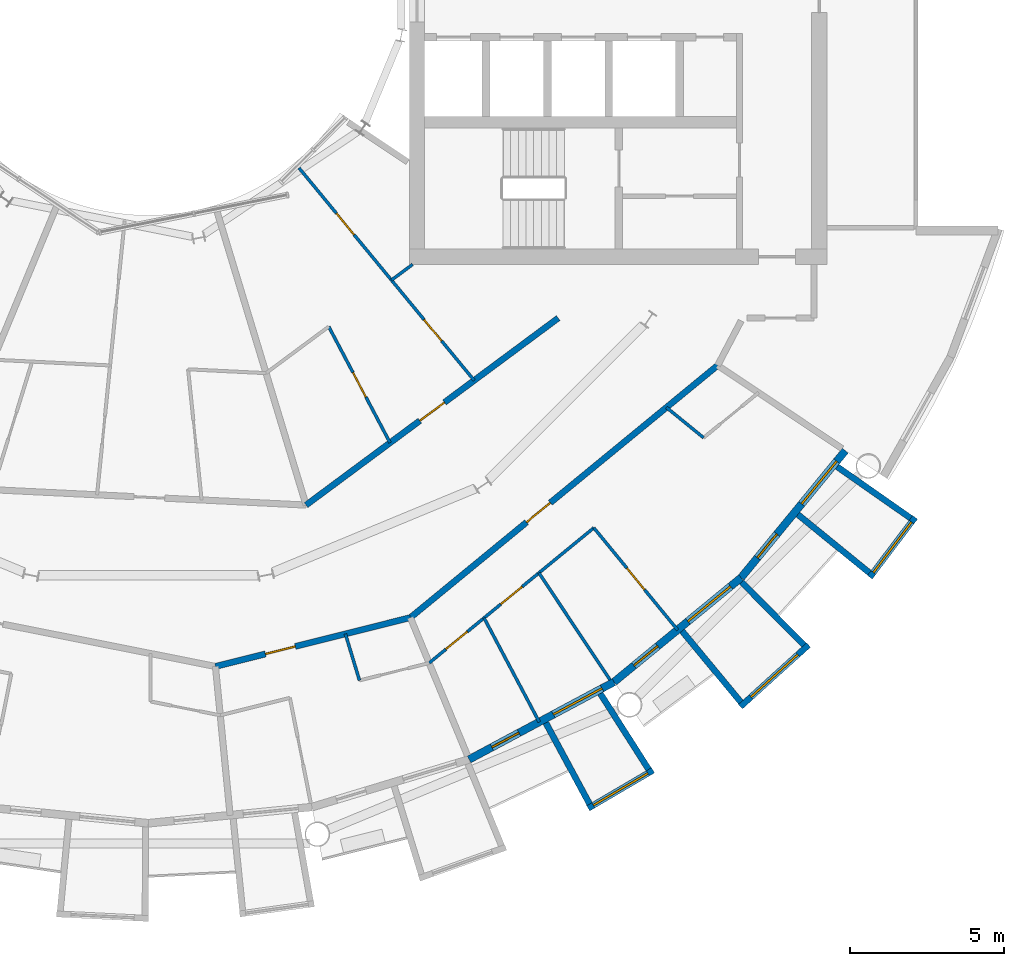
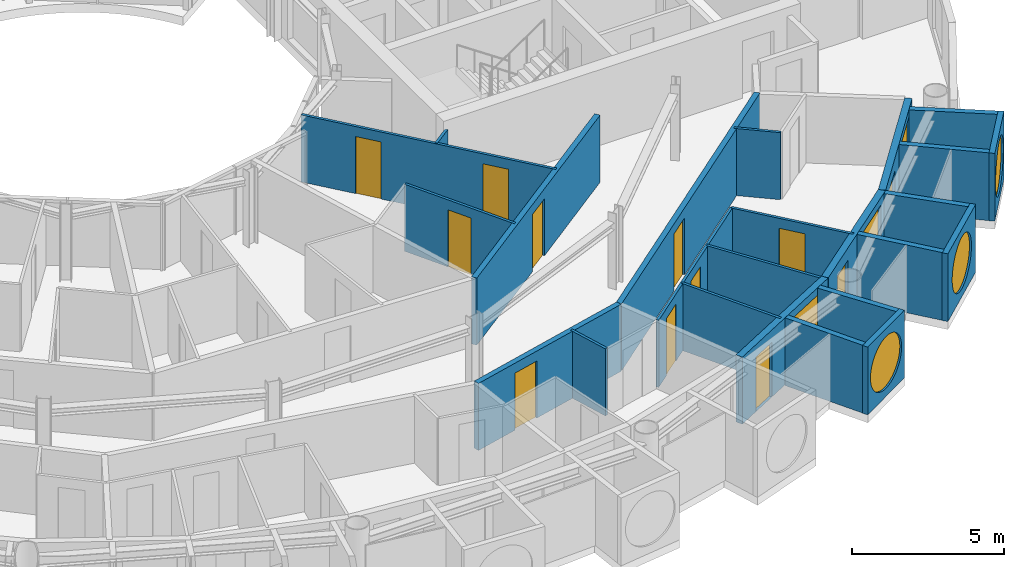
# One storey, part 17 of 26: 24 walls, 12 doors, 6 windows, 18 openings.
"""IFC4 building model written with IfcOpenShell, lengths in metres."""

from ifc_helpers import new_model, si_unit, direction, frame, frame_2d, origin, place, context, subcontext, project, spatial, rectangle, circle, extrude, material, layer, layer_set, type_object, element, fill, save


model = new_model("IFC4")

# Units and contexts
model_context = context("Model", 3, precision=1e-05, world=origin(), true_north=direction((0.0, 1.0)))
body_context = subcontext(model_context, "Body", "Model", "MODEL_VIEW")
ifc_project = project(units=[si_unit("LENGTHUNIT", "METRE"), si_unit("AREAUNIT", "SQUARE_METRE"), si_unit("VOLUMEUNIT", "CUBIC_METRE"), si_unit("PLANEANGLEUNIT", "RADIAN"), si_unit("MASSUNIT", "GRAM", prefix="KILO")], contexts=[model_context])

# Site, building, storey
site_placement = place(None, origin())
site = spatial("IfcSite", under=ifc_project, at=site_placement, CompositionType="ELEMENT")
building_placement = place(site_placement, origin())
building = spatial("IfcBuilding", under=site, at=building_placement, Name="Maasbend Ring Residences", CompositionType="ELEMENT")
storey_placement = place(building_placement, frame((0.0, 0.0, 154.35009765625)))
storey = spatial("IfcBuildingStorey", under=building, at=storey_placement, Name="L44", CompositionType="ELEMENT", Elevation=154.35009765625)

# Wall, opening, door
ifc_material_1 = material(Name="Concrete C30/37", Category="concrete")
ifc_layer_1 = layer(ifc_material_1, 0.199951171875)
ifc_layer_set_1 = layer_set([ifc_layer_1], Name="Concrete C30/37")
wall_type_1 = type_object("IfcWallType", Name="CORRIDOR WALL 200 CONCRETE", PredefinedType="PARTITIONING", material=ifc_layer_set_1)
wall_1_placement = place(storey_placement, frame((2.18603515625, -22.193115234375, 0.0), z_axis=(0.0, 0.0, 1.0), x_axis=(0.97003047456, 0.242983288366, 0.0)))
wall_1 = element("IfcWall", 1, at=wall_1_placement, inside=storey, type_object=wall_type_1, Name="U-L44-w011", PredefinedType="PARTITIONING", context=body_context, shape_type="SweptSolid", body=[
    extrude(rectangle(XDim=6.5439453125, YDim=0.199951171875, at=frame_2d((3.27197265625, 0.0))), origin(), (0.0, 0.0, 1.0), 2.699951171875),
])
opening_1_placement = place(wall_1_placement, frame((1.680908203125, 0.0, 0.0)))
opening_1 = element("IfcOpeningElement", 2, at=opening_1_placement, cuts=wall_1, Name="Opening D-4443", PredefinedType="OPENING", context=body_context, shape_type="SweptSolid", body=[
    extrude(rectangle(XDim=1.0, YDim=2.300048828125, at=frame_2d((0.5, 1.14990234375))), frame((0.0, 0.10986328125, 0.0), z_axis=(0.0, -1.0, 0.0), x_axis=(1.0, 0.0, 0.0)), (0.0, 0.0, 1.0), 0.219970703125),
])
ifc_material_2 = material(Name="Timber, fire-rated, painted", Category="wood")
door_type_1 = type_object("IfcDoorType", Name="FLAT ENTRANCE DOOR 1000 X 2300 FIRE-RATED", OperationType="NOTDEFINED", PredefinedType="DOOR", material=ifc_material_2)
door_1_placement = place(opening_1_placement, origin())
door_1 = element("IfcDoor", 3, at=door_1_placement, inside=storey, type_object=door_type_1, Name="D-4443", OperationType="SINGLE_SWING_LEFT", OverallHeight=2.300048828125, OverallWidth=1.0, PredefinedType="DOOR", context=body_context, shape_type="SweptSolid", body=[
    extrude(rectangle(XDim=1.0, YDim=2.300048828125, at=frame_2d((0.5, 1.14990234375))), frame((0.0, 0.02490234375, 0.0), z_axis=(0.0, -1.0, 0.0), x_axis=(1.0, 0.0, 0.0)), (0.0, 0.0, 1.0), 0.050048828125),
])
fill(opening_1, door_1)

wall_2_placement = place(storey_placement, frame((8.533935546875, -20.60302734375, 0.0), z_axis=(0.0, 0.0, 1.0), x_axis=(0.772983503654, 0.634426121056, 0.0)))
wall_2 = element("IfcWall", 4, at=wall_2_placement, inside=storey, type_object=wall_type_1, Name="U-L44-w016", PredefinedType="PARTITIONING", context=body_context, shape_type="SweptSolid", body=[
    extrude(rectangle(XDim=12.947265625, YDim=0.199951171875, at=frame_2d((6.4736328125, 0.0))), origin(), (0.0, 0.0, 1.0), 2.699951171875),
])
opening_2_placement = place(wall_2_placement, frame((4.89501953125, 0.0, 0.0)))
opening_2 = element("IfcOpeningElement", 5, at=opening_2_placement, cuts=wall_2, Name="Opening D-4446", PredefinedType="OPENING", context=body_context, shape_type="SweptSolid", body=[
    extrude(rectangle(XDim=1.0, YDim=2.300048828125, at=frame_2d((0.5, 1.14990234375))), frame((0.0, 0.10986328125, 0.0), z_axis=(0.0, -1.0, 0.0), x_axis=(1.0, 0.0, 0.0)), (0.0, 0.0, 1.0), 0.219970703125),
])
door_2_placement = place(opening_2_placement, origin())
door_2 = element("IfcDoor", 6, at=door_2_placement, inside=storey, type_object=door_type_1, Name="D-4446", OperationType="SINGLE_SWING_LEFT", OverallHeight=2.300048828125, OverallWidth=1.0, PredefinedType="DOOR", context=body_context, shape_type="SweptSolid", body=[
    extrude(rectangle(XDim=1.0, YDim=2.300048828125, at=frame_2d((0.5, 1.14990234375))), frame((0.0, 0.02490234375, 0.0), z_axis=(0.0, -1.0, 0.0), x_axis=(1.0, 0.0, 0.0)), (0.0, 0.0, 1.0), 0.050048828125),
])
fill(opening_2, door_2)

wall_3_placement = place(storey_placement, frame((5.136962890625, -16.93798828125, 0.0), z_axis=(0.0, 0.0, 1.0), x_axis=(0.803229232922, 0.595670042371, 0.0)))
wall_3 = element("IfcWall", 7, at=wall_3_placement, inside=storey, type_object=wall_type_1, Name="U-L44-w019", PredefinedType="PARTITIONING", context=body_context, shape_type="SweptSolid", body=[
    extrude(rectangle(XDim=10.223876953125, YDim=0.199951171875, at=frame_2d((5.11181640625, 0.0))), origin(), (0.0, 0.0, 1.0), 2.699951171875),
])
opening_3_placement = place(wall_3_placement, frame((4.612060546875, 0.0, 0.0)))
opening_3 = element("IfcOpeningElement", 8, at=opening_3_placement, cuts=wall_3, Name="Opening D-4460", PredefinedType="OPENING", context=body_context, shape_type="SweptSolid", body=[
    extrude(rectangle(XDim=1.0, YDim=2.300048828125, at=frame_2d((0.5, 1.14990234375))), frame((0.0, 0.10986328125, 0.0), z_axis=(0.0, -1.0, 0.0), x_axis=(1.0, 0.0, 0.0)), (0.0, 0.0, 1.0), 0.219970703125),
])
door_3_placement = place(opening_3_placement, origin())
door_3 = element("IfcDoor", 9, at=door_3_placement, inside=storey, type_object=door_type_1, Name="D-4460", OperationType="SINGLE_SWING_RIGHT", OverallHeight=2.300048828125, OverallWidth=1.0, PredefinedType="DOOR", context=body_context, shape_type="SweptSolid", body=[
    extrude(rectangle(XDim=1.0, YDim=2.300048828125, at=frame_2d((0.5, 1.14990234375))), frame((0.0, 0.02490234375, 0.0), z_axis=(0.0, -1.0, 0.0), x_axis=(1.0, 0.0, 0.0)), (0.0, 0.0, 1.0), 0.050048828125),
])
fill(opening_3, door_3)

# Wall, opening, window
ifc_material_3 = material(Name="Pale anodised aluminium panel", Category="aluminium")
ifc_layer_2 = layer(ifc_material_3, 0.199951171875)
ifc_layer_set_2 = layer_set([ifc_layer_2], Name="EW-BOX")
wall_type_2 = type_object("IfcWallType", Name="EW-BOX", PredefinedType="SOLIDWALL", material=ifc_layer_set_2)
wall_4_placement = place(storey_placement, frame((14.326904296875, -26.81201171875, -0.030029296875), z_axis=(0.0, 0.0, 1.0), x_axis=(0.862403467503, 0.506221551535, 0.0)))
wall_4 = element("IfcWall", 10, at=wall_4_placement, inside=storey, type_object=wall_type_2, Name="Box front S16", PredefinedType="SOLIDWALL", context=body_context, shape_type="SweptSolid", body=[
    extrude(rectangle(XDim=2.445556640625, YDim=0.199951171875, at=frame_2d((1.22265625, 0.0))), origin(), (0.0, 0.0, 1.0), 2.72998046875),
])
opening_4_placement = place(wall_4_placement, frame((0.182861328125, 0.0, 0.330078125)))
opening_4 = element("IfcOpeningElement", 11, at=opening_4_placement, cuts=wall_4, Name="Opening W-RD", PredefinedType="OPENING", context=body_context, shape_type="SweptSolid", body=[
    extrude(circle(Radius=1.0400390625, at=frame_2d((1.0400390625, 1.0400390625))), frame((0.0, 0.10986328125, 0.0), z_axis=(0.0, -1.0, 0.0), x_axis=(1.0, 0.0, 0.0)), (0.0, 0.0, 1.0), 0.219970703125),
])
ifc_material_4 = material(Name="Aluminium and clear glass", Category="aluminium")
window_type_1 = type_object("IfcWindowType", Name="W-RD", PartitioningType="SINGLE_PANEL", PredefinedType="WINDOW", material=ifc_material_4)
window_1_placement = place(opening_4_placement, origin())
window_1 = element("IfcWindow", 12, at=window_1_placement, inside=storey, type_object=window_type_1, Name="Round window S16", OverallHeight=2.080078125, OverallWidth=2.080078125, PartitioningType="SINGLE_PANEL", PredefinedType="WINDOW", context=body_context, shape_type="SweptSolid", body=[
    extrude(circle(Radius=1.0400390625, at=frame_2d((1.0400390625, 1.0400390625))), frame((0.0, 0.030029296875, 0.0), z_axis=(0.0, -1.0, 0.0), x_axis=(1.0, 0.0, 0.0)), (0.0, 0.0, 1.0), 0.06005859375),
])
fill(opening_4, window_1)

# Walls
wall_5_placement = place(storey_placement, frame((12.945068359375, -24.029052734375, -0.030029296875), z_axis=(0.0, 0.0, 1.0), x_axis=(0.474424310775, -0.88029629861, 0.0)))
element("IfcWall", 13, at=wall_5_placement, inside=storey, type_object=wall_type_2, Name="Box side wall S16 left", PredefinedType="SOLIDWALL", context=body_context, shape_type="SweptSolid", body=[
    extrude(rectangle(XDim=3.005859375, YDim=0.199951171875, at=frame_2d((1.5029296875, 0.0))), origin(), (0.0, 0.0, 1.0), 2.72998046875),
])
wall_6_placement = place(storey_placement, frame((14.721923828125, -23.0791015625, -0.030029296875), z_axis=(0.0, 0.0, 1.0), x_axis=(0.537572179146, -0.843217737129, 0.0)))
element("IfcWall", 14, at=wall_6_placement, inside=storey, type_object=wall_type_2, Name="Box side wall S16 right", PredefinedType="SOLIDWALL", context=body_context, shape_type="SweptSolid", body=[
    extrude(rectangle(XDim=2.92431640625, YDim=0.199951171875, at=frame_2d((1.462158203125, 0.0))), origin(), (0.0, 0.0, 1.0), 2.72998046875),
])

# Wall, opening, window
wall_7_placement = place(storey_placement, frame((19.281982421875, -23.5029296875, -0.030029296875), z_axis=(0.0, 0.0, 1.0), x_axis=(0.740998365753, 0.671506829416, 0.0)))
wall_7 = element("IfcWall", 15, at=wall_7_placement, inside=storey, type_object=wall_type_2, Name="Box front S18", PredefinedType="SOLIDWALL", context=body_context, shape_type="SweptSolid", body=[
    extrude(rectangle(XDim=2.9931640625, YDim=0.199951171875, at=frame_2d((1.49658203125, 0.0))), origin(), (0.0, 0.0, 1.0), 2.72998046875),
])
opening_5_placement = place(wall_7_placement, frame((0.45654296875, 0.0, 0.330078125)))
opening_5 = element("IfcOpeningElement", 16, at=opening_5_placement, cuts=wall_7, Name="Opening W-RD", PredefinedType="OPENING", context=body_context, shape_type="SweptSolid", body=[
    extrude(circle(Radius=1.0400390625, at=frame_2d((1.0400390625, 1.0400390625))), frame((0.0, 0.10986328125, 0.0), z_axis=(0.0, -1.0, 0.0), x_axis=(1.0, 0.0, 0.0)), (0.0, 0.0, 1.0), 0.219970703125),
])
window_2_placement = place(opening_5_placement, origin())
window_2 = element("IfcWindow", 17, at=window_2_placement, inside=storey, type_object=window_type_1, Name="Round window S18", OverallHeight=2.080078125, OverallWidth=2.080078125, PartitioningType="SINGLE_PANEL", PredefinedType="WINDOW", context=body_context, shape_type="SweptSolid", body=[
    extrude(circle(Radius=1.0400390625, at=frame_2d((1.0400390625, 1.0400390625))), frame((0.0, 0.030029296875, 0.0), z_axis=(0.0, -1.0, 0.0), x_axis=(1.0, 0.0, 0.0)), (0.0, 0.0, 1.0), 0.06005859375),
])
fill(opening_5, window_2)

# Walls
wall_8_placement = place(storey_placement, frame((17.384033203125, -21.041015625, -0.030029296875), z_axis=(0.0, 0.0, 1.0), x_axis=(0.63709551667, -0.770784861449, 0.0)))
element("IfcWall", 18, at=wall_8_placement, inside=storey, type_object=wall_type_2, Name="Box side wall S18 left", PredefinedType="SOLIDWALL", context=body_context, shape_type="SweptSolid", body=[
    extrude(rectangle(XDim=3.005859375, YDim=0.199951171875, at=frame_2d((1.5029296875, 0.0))), origin(), (0.0, 0.0, 1.0), 2.72998046875),
])
wall_9_placement = place(storey_placement, frame((19.322998046875, -19.449951171875, -0.030029296875), z_axis=(0.0, 0.0, 1.0), x_axis=(0.704476739375, -0.709727076896, 0.0)))
element("IfcWall", 19, at=wall_9_placement, inside=storey, type_object=wall_type_2, Name="Box side wall S18 right", PredefinedType="SOLIDWALL", context=body_context, shape_type="SweptSolid", body=[
    extrude(rectangle(XDim=2.883056640625, YDim=0.199951171875, at=frame_2d((1.44140625, 0.0))), origin(), (0.0, 0.0, 1.0), 2.72998046875),
])

# Wall, opening, window
wall_10_placement = place(storey_placement, frame((23.4970703125, -19.2890625, -0.030029296875), z_axis=(0.0, 0.0, 1.0), x_axis=(0.602806268067, 0.797887588059, 0.0)))
wall_10 = element("IfcWall", 20, at=wall_10_placement, inside=storey, type_object=wall_type_2, Name="Box front S20", PredefinedType="SOLIDWALL", context=body_context, shape_type="SweptSolid", body=[
    extrude(rectangle(XDim=2.446533203125, YDim=0.199951171875, at=frame_2d((1.22314453125, 0.0))), origin(), (0.0, 0.0, 1.0), 2.72998046875),
])
opening_6_placement = place(wall_10_placement, frame((0.182861328125, 0.0, 0.330078125)))
opening_6 = element("IfcOpeningElement", 21, at=opening_6_placement, cuts=wall_10, Name="Opening W-RD", PredefinedType="OPENING", context=body_context, shape_type="SweptSolid", body=[
    extrude(circle(Radius=1.0400390625, at=frame_2d((1.0400390625, 1.0400390625))), frame((0.0, 0.10986328125, 0.0), z_axis=(0.0, -1.0, 0.0), x_axis=(1.0, 0.0, 0.0)), (0.0, 0.0, 1.0), 0.219970703125),
])
window_3_placement = place(opening_6_placement, origin())
window_3 = element("IfcWindow", 22, at=window_3_placement, inside=storey, type_object=window_type_1, Name="Round window S20", OverallHeight=2.080078125, OverallWidth=2.080078125, PartitioningType="SINGLE_PANEL", PredefinedType="WINDOW", context=body_context, shape_type="SweptSolid", body=[
    extrude(circle(Radius=1.0400390625, at=frame_2d((1.0400390625, 1.0400390625))), frame((0.0, 0.030029296875, 0.0), z_axis=(0.0, -1.0, 0.0), x_axis=(1.0, 0.0, 0.0)), (0.0, 0.0, 1.0), 0.06005859375),
])
fill(opening_6, window_3)

# Walls
wall_11_placement = place(storey_placement, frame((21.155029296875, -17.24609375, -0.030029296875), z_axis=(0.0, 0.0, 1.0), x_axis=(0.775179004516, -0.631741648902, 0.0)))
element("IfcWall", 23, at=wall_11_placement, inside=storey, type_object=wall_type_2, Name="Box side wall S20 left", PredefinedType="SOLIDWALL", context=body_context, shape_type="SweptSolid", body=[
    extrude(rectangle(XDim=3.005859375, YDim=0.199951171875, at=frame_2d((1.5029296875, 0.0))), origin(), (0.0, 0.0, 1.0), 2.72998046875),
])
wall_12_placement = place(storey_placement, frame((22.43310546875, -15.68798828125, -0.030029296875), z_axis=(0.0, 0.0, 1.0), x_axis=(0.819373043115, -0.573260687834, 0.0)))
element("IfcWall", 24, at=wall_12_placement, inside=storey, type_object=wall_type_2, Name="Box side wall S20 right", PredefinedType="SOLIDWALL", context=body_context, shape_type="SweptSolid", body=[
    extrude(rectangle(XDim=2.92529296875, YDim=0.199951171875, at=frame_2d((1.462646484375, 0.0))), origin(), (0.0, 0.0, 1.0), 2.72998046875),
])

# Wall, openings, door, window
ifc_material_5 = material(Name="Aluminium clad insulated panel", Category="aluminium")
ifc_layer_3 = layer(ifc_material_5, 0.25)
ifc_layer_set_3 = layer_set([ifc_layer_3], Name="EW-GL")
wall_type_3 = type_object("IfcWallType", Name="EW-GL", PredefinedType="SOLIDWALL", material=ifc_layer_set_3)
wall_13_placement = place(storey_placement, frame((10.447021484375, -25.221923828125, 0.0), z_axis=(0.0, 0.0, 1.0), x_axis=(0.881915646801, 0.471407246368, 0.0)))
wall_13 = element("IfcWall", 25, at=wall_13_placement, inside=storey, type_object=wall_type_3, Name="External wall S08", PredefinedType="SOLIDWALL", context=body_context, shape_type="SweptSolid", body=[
    extrude(rectangle(XDim=5.35205078125, YDim=0.25, at=frame_2d((2.676025390625, 0.0))), origin(), (0.0, 0.0, 1.0), 2.699951171875),
])
opening_7_placement = place(wall_13_placement, frame((0.841064453125, 0.0, 0.0)))
opening_7 = element("IfcOpeningElement", 26, at=opening_7_placement, cuts=wall_13, Name="Opening D-LG", PredefinedType="OPENING", context=body_context, shape_type="SweptSolid", body=[
    extrude(rectangle(XDim=1.0, YDim=2.199951171875, at=frame_2d((0.5, 1.10009765625))), frame((0.0, 0.135009765625, 0.0), z_axis=(0.0, -1.0, 0.0), x_axis=(1.0, 0.0, 0.0)), (0.0, 0.0, 1.0), 0.27001953125),
])
opening_8_placement = place(wall_13_placement, frame((3.110595703125, 0.0, 0.300048828125)))
opening_8 = element("IfcOpeningElement", 27, at=opening_8_placement, cuts=wall_13, Name="Opening W-BX", PredefinedType="OPENING", context=body_context, shape_type="SweptSolid", body=[
    extrude(rectangle(XDim=1.800048828125, YDim=2.10009765625, at=frame_2d((0.89990234375, 1.050048828125))), frame((0.0, 0.135009765625, 0.0), z_axis=(0.0, -1.0, 0.0), x_axis=(1.0, 0.0, 0.0)), (0.0, 0.0, 1.0), 0.27001953125),
])
ifc_material_6 = material(Name="Aluminium and clear glass", Category="aluminium")
door_type_2 = type_object("IfcDoorType", Name="D-LG", OperationType="SINGLE_SWING_LEFT", PredefinedType="DOOR", material=ifc_material_6)
door_4_placement = place(opening_7_placement, origin())
door_4 = element("IfcDoor", 28, at=door_4_placement, inside=storey, type_object=door_type_2, Name="Loggia door S15", OperationType="SINGLE_SWING_LEFT", OverallHeight=2.199951171875, OverallWidth=1.0, PredefinedType="DOOR", context=body_context, shape_type="SweptSolid", body=[
    extrude(rectangle(XDim=1.0, YDim=2.199951171875, at=frame_2d((0.5, 1.10009765625))), frame((0.0, 0.02490234375, 0.0), z_axis=(0.0, -1.0, 0.0), x_axis=(1.0, 0.0, 0.0)), (0.0, 0.0, 1.0), 0.050048828125),
])
fill(opening_7, door_4)
ifc_material_7 = material(Name="Aluminium and clear glass", Category="aluminium")
window_type_2 = type_object("IfcWindowType", Name="W-BX", PartitioningType="DOUBLE_PANEL_VERTICAL", PredefinedType="WINDOW", material=ifc_material_7)
window_4_placement = place(opening_8_placement, origin())
window_4 = element("IfcWindow", 29, at=window_4_placement, inside=storey, type_object=window_type_2, Name="Window S16 room to box", OverallHeight=2.10009765625, OverallWidth=1.800048828125, PartitioningType="SINGLE_PANEL", PredefinedType="WINDOW", context=body_context, shape_type="SweptSolid", body=[
    extrude(rectangle(XDim=1.800048828125, YDim=2.10009765625, at=frame_2d((0.89990234375, 1.050048828125))), frame((0.0, 0.030029296875, 0.0), z_axis=(0.0, -1.0, 0.0), x_axis=(1.0, 0.0, 0.0)), (0.0, 0.0, 1.0), 0.06005859375),
])
fill(opening_8, window_4)

wall_14_placement = place(storey_placement, frame((15.1669921875, -22.698974609375, 0.0), z_axis=(0.0, 0.0, 1.0), x_axis=(0.773019449054, 0.634382322723, 0.0)))
wall_14 = element("IfcWall", 30, at=wall_14_placement, inside=storey, type_object=wall_type_3, Name="External wall S09", PredefinedType="SOLIDWALL", context=body_context, shape_type="SweptSolid", body=[
    extrude(rectangle(XDim=5.351806640625, YDim=0.25, at=frame_2d((2.67578125, 0.0))), origin(), (0.0, 0.0, 1.0), 2.699951171875),
])
opening_9_placement = place(wall_14_placement, frame((0.841064453125, 0.0, 0.0)))
opening_9 = element("IfcOpeningElement", 31, at=opening_9_placement, cuts=wall_14, Name="Opening D-LG", PredefinedType="OPENING", context=body_context, shape_type="SweptSolid", body=[
    extrude(rectangle(XDim=1.0, YDim=2.199951171875, at=frame_2d((0.5, 1.10009765625))), frame((0.0, 0.135009765625, 0.0), z_axis=(0.0, -1.0, 0.0), x_axis=(1.0, 0.0, 0.0)), (0.0, 0.0, 1.0), 0.27001953125),
])
opening_10_placement = place(wall_14_placement, frame((3.110595703125, 0.0, 0.300048828125)))
opening_10 = element("IfcOpeningElement", 32, at=opening_10_placement, cuts=wall_14, Name="Opening W-BX", PredefinedType="OPENING", context=body_context, shape_type="SweptSolid", body=[
    extrude(rectangle(XDim=1.800048828125, YDim=2.10009765625, at=frame_2d((0.89990234375, 1.050048828125))), frame((0.0, 0.135009765625, 0.0), z_axis=(0.0, -1.0, 0.0), x_axis=(1.0, 0.0, 0.0)), (0.0, 0.0, 1.0), 0.27001953125),
])
door_5_placement = place(opening_9_placement, origin())
door_5 = element("IfcDoor", 33, at=door_5_placement, inside=storey, type_object=door_type_2, Name="Loggia door S17", OperationType="SINGLE_SWING_LEFT", OverallHeight=2.199951171875, OverallWidth=1.0, PredefinedType="DOOR", context=body_context, shape_type="SweptSolid", body=[
    extrude(rectangle(XDim=1.0, YDim=2.199951171875, at=frame_2d((0.5, 1.10009765625))), frame((0.0, 0.02490234375, 0.0), z_axis=(0.0, -1.0, 0.0), x_axis=(1.0, 0.0, 0.0)), (0.0, 0.0, 1.0), 0.050048828125),
])
fill(opening_9, door_5)
window_5_placement = place(opening_10_placement, origin())
window_5 = element("IfcWindow", 34, at=window_5_placement, inside=storey, type_object=window_type_2, Name="Window S18 room to box", OverallHeight=2.10009765625, OverallWidth=1.800048828125, PartitioningType="SINGLE_PANEL", PredefinedType="WINDOW", context=body_context, shape_type="SweptSolid", body=[
    extrude(rectangle(XDim=1.800048828125, YDim=2.10009765625, at=frame_2d((0.89990234375, 1.050048828125))), frame((0.0, 0.030029296875, 0.0), z_axis=(0.0, -1.0, 0.0), x_axis=(1.0, 0.0, 0.0)), (0.0, 0.0, 1.0), 0.06005859375),
])
fill(opening_10, window_5)

wall_15_placement = place(storey_placement, frame((19.303955078125, -19.303955078125, 0.0), z_axis=(0.0, 0.0, 1.0), x_axis=(0.634382322723, 0.773019449054, 0.0)))
wall_15 = element("IfcWall", 35, at=wall_15_placement, inside=storey, type_object=wall_type_3, Name="External wall S10", PredefinedType="SOLIDWALL", context=body_context, shape_type="SweptSolid", body=[
    extrude(rectangle(XDim=5.351806640625, YDim=0.25, at=frame_2d((2.67578125, 0.0))), origin(), (0.0, 0.0, 1.0), 2.699951171875),
])
opening_11_placement = place(wall_15_placement, frame((0.841064453125, 0.0, 0.0)))
opening_11 = element("IfcOpeningElement", 36, at=opening_11_placement, cuts=wall_15, Name="Opening D-LG", PredefinedType="OPENING", context=body_context, shape_type="SweptSolid", body=[
    extrude(rectangle(XDim=1.0, YDim=2.199951171875, at=frame_2d((0.5, 1.10009765625))), frame((0.0, 0.135009765625, 0.0), z_axis=(0.0, -1.0, 0.0), x_axis=(1.0, 0.0, 0.0)), (0.0, 0.0, 1.0), 0.27001953125),
])
opening_12_placement = place(wall_15_placement, frame((3.110595703125, 0.0, 0.300048828125)))
opening_12 = element("IfcOpeningElement", 37, at=opening_12_placement, cuts=wall_15, Name="Opening W-BX", PredefinedType="OPENING", context=body_context, shape_type="SweptSolid", body=[
    extrude(rectangle(XDim=1.800048828125, YDim=2.10009765625, at=frame_2d((0.89990234375, 1.050048828125))), frame((0.0, 0.135009765625, 0.0), z_axis=(0.0, -1.0, 0.0), x_axis=(1.0, 0.0, 0.0)), (0.0, 0.0, 1.0), 0.27001953125),
])
door_6_placement = place(opening_11_placement, origin())
door_6 = element("IfcDoor", 38, at=door_6_placement, inside=storey, type_object=door_type_2, Name="Loggia door S19", OperationType="SINGLE_SWING_LEFT", OverallHeight=2.199951171875, OverallWidth=1.0, PredefinedType="DOOR", context=body_context, shape_type="SweptSolid", body=[
    extrude(rectangle(XDim=1.0, YDim=2.199951171875, at=frame_2d((0.5, 1.10009765625))), frame((0.0, 0.02490234375, 0.0), z_axis=(0.0, -1.0, 0.0), x_axis=(1.0, 0.0, 0.0)), (0.0, 0.0, 1.0), 0.050048828125),
])
fill(opening_11, door_6)
window_6_placement = place(opening_12_placement, origin())
window_6 = element("IfcWindow", 39, at=window_6_placement, inside=storey, type_object=window_type_2, Name="Window S20 room to box", OverallHeight=2.10009765625, OverallWidth=1.800048828125, PartitioningType="SINGLE_PANEL", PredefinedType="WINDOW", context=body_context, shape_type="SweptSolid", body=[
    extrude(rectangle(XDim=1.800048828125, YDim=2.10009765625, at=frame_2d((0.89990234375, 1.050048828125))), frame((0.0, 0.030029296875, 0.0), z_axis=(0.0, -1.0, 0.0), x_axis=(1.0, 0.0, 0.0)), (0.0, 0.0, 1.0), 0.06005859375),
])
fill(opening_12, window_6)

# Wall, openings, doors
ifc_material_8 = material(Name="Gypsum board on steel studs", Category="steel")
ifc_layer_4 = layer(ifc_material_8, 0.10009765625)
ifc_layer_set_4 = layer_set([ifc_layer_4], Name="PARTITION 100 GYPSUM")
wall_type_4 = type_object("IfcWallType", Name="PARTITION 100 GYPSUM", PredefinedType="PARTITIONING", material=ifc_layer_set_4)
wall_16_placement = place(storey_placement, frame((9.14599609375, -22.0810546875, 0.0), z_axis=(0.0, 0.0, 1.0), x_axis=(0.772956112865, 0.634459492469, 0.0)))
wall_16 = element("IfcWall", 40, at=wall_16_placement, inside=storey, type_object=wall_type_4, Name="U-L44-w007", PredefinedType="PARTITIONING", context=body_context, shape_type="SweptSolid", body=[
    extrude(rectangle(XDim=6.938232421875, YDim=0.10009765625, at=frame_2d((3.46923828125, 0.0))), origin(), (0.0, 0.0, 1.0), 2.699951171875),
])
opening_13_placement = place(wall_16_placement, frame((3.01806640625, 0.0, 0.0)))
opening_13 = element("IfcOpeningElement", 41, at=opening_13_placement, cuts=wall_16, Name="Opening D-4449", PredefinedType="OPENING", context=body_context, shape_type="SweptSolid", body=[
    extrude(rectangle(XDim=0.89990234375, YDim=2.300048828125, at=frame_2d((0.449951171875, 1.14990234375))), frame((0.0, 0.06005859375, 0.0), z_axis=(0.0, -1.0, 0.0), x_axis=(1.0, 0.0, 0.0)), (0.0, 0.0, 1.0), 0.1201171875),
])
opening_14_placement = place(wall_16_placement, frame((0.708984375, 0.0, 0.0)))
opening_14 = element("IfcOpeningElement", 42, at=opening_14_placement, cuts=wall_16, Name="Opening D-4450", PredefinedType="OPENING", context=body_context, shape_type="SweptSolid", body=[
    extrude(rectangle(XDim=0.89990234375, YDim=2.300048828125, at=frame_2d((0.449951171875, 1.14990234375))), frame((0.0, 0.06005859375, 0.0), z_axis=(0.0, -1.0, 0.0), x_axis=(1.0, 0.0, 0.0)), (0.0, 0.0, 1.0), 0.1201171875),
])
ifc_material_9 = material(Name="Timber, painted", Category="wood")
door_type_3 = type_object("IfcDoorType", Name="INTERNAL DOOR 900 X 2300", OperationType="NOTDEFINED", PredefinedType="DOOR", material=ifc_material_9)
door_7_placement = place(opening_13_placement, origin())
door_7 = element("IfcDoor", 43, at=door_7_placement, inside=storey, type_object=door_type_3, Name="D-4449", OperationType="SINGLE_SWING_LEFT", OverallHeight=2.300048828125, OverallWidth=0.89990234375, PredefinedType="DOOR", context=body_context, shape_type="SweptSolid", body=[
    extrude(rectangle(XDim=0.89990234375, YDim=2.300048828125, at=frame_2d((0.449951171875, 1.14990234375))), frame((0.0, 0.02490234375, 0.0), z_axis=(0.0, -1.0, 0.0), x_axis=(1.0, 0.0, 0.0)), (0.0, 0.0, 1.0), 0.050048828125),
])
fill(opening_13, door_7)
door_8_placement = place(opening_14_placement, origin())
door_8 = element("IfcDoor", 44, at=door_8_placement, inside=storey, type_object=door_type_3, Name="D-4450", OperationType="SINGLE_SWING_LEFT", OverallHeight=2.300048828125, OverallWidth=0.89990234375, PredefinedType="DOOR", context=body_context, shape_type="SweptSolid", body=[
    extrude(rectangle(XDim=0.89990234375, YDim=2.300048828125, at=frame_2d((0.449951171875, 1.14990234375))), frame((0.0, 0.02490234375, 0.0), z_axis=(0.0, -1.0, 0.0), x_axis=(1.0, 0.0, 0.0)), (0.0, 0.0, 1.0), 0.050048828125),
])
fill(opening_14, door_8)

# Walls
wall_17_placement = place(storey_placement, frame((7.9189453125, -9.611083984375, 0.0), z_axis=(0.0, 0.0, 1.0), x_axis=(0.803199066515, 0.595710718007, 0.0)))
element("IfcWall", 45, at=wall_17_placement, inside=storey, type_object=wall_type_4, Name="U-L44-w025", PredefinedType="PARTITIONING", context=body_context, shape_type="SweptSolid", body=[
    extrude(rectangle(XDim=0.857666015625, YDim=0.10009765625, at=frame_2d((0.4287109375, 0.0))), origin(), (0.0, 0.0, 1.0), 2.699951171875),
])
wall_18_placement = place(storey_placement, frame((12.720947265625, -19.14697265625, 0.0), z_axis=(0.0, 0.0, 1.0), x_axis=(0.553609857728, -0.832776155654, 0.0)))
element("IfcWall", 46, at=wall_18_placement, inside=storey, type_object=wall_type_4, Name="U-L44-w033", PredefinedType="PARTITIONING", context=body_context, shape_type="SweptSolid", body=[
    extrude(rectangle(XDim=4.187255859375, YDim=0.10009765625, at=frame_2d((2.09375, 0.0))), origin(), (0.0, 0.0, 1.0), 2.699951171875),
])

# Wall, openings, doors
wall_19_placement = place(storey_placement, frame((4.907958984375, -5.958984375, 0.0), z_axis=(0.0, 0.0, 1.0), x_axis=(0.636115614725, -0.771593756262, 0.0)))
wall_19 = element("IfcWall", 47, at=wall_19_placement, inside=storey, type_object=wall_type_4, Name="U-L44-w071", PredefinedType="PARTITIONING", context=body_context, shape_type="SweptSolid", body=[
    extrude(rectangle(XDim=8.967041015625, YDim=0.10009765625, at=frame_2d((4.4833984375, 0.0))), origin(), (0.0, 0.0, 1.0), 2.699951171875),
])
opening_15_placement = place(wall_19_placement, frame((6.39990234375, 0.0, 0.0)))
opening_15 = element("IfcOpeningElement", 48, at=opening_15_placement, cuts=wall_19, Name="Opening D-4462", PredefinedType="OPENING", context=body_context, shape_type="SweptSolid", body=[
    extrude(rectangle(XDim=0.89990234375, YDim=2.300048828125, at=frame_2d((0.449951171875, 1.14990234375))), frame((0.0, 0.06005859375, 0.0), z_axis=(0.0, -1.0, 0.0), x_axis=(1.0, 0.0, 0.0)), (0.0, 0.0, 1.0), 0.1201171875),
])
opening_16_placement = place(wall_19_placement, frame((1.9169921875, 0.0, 0.0)))
opening_16 = element("IfcOpeningElement", 49, at=opening_16_placement, cuts=wall_19, Name="Opening D-4463", PredefinedType="OPENING", context=body_context, shape_type="SweptSolid", body=[
    extrude(rectangle(XDim=0.89990234375, YDim=2.300048828125, at=frame_2d((0.449951171875, 1.14990234375))), frame((0.0, 0.06005859375, 0.0), z_axis=(0.0, -1.0, 0.0), x_axis=(1.0, 0.0, 0.0)), (0.0, 0.0, 1.0), 0.1201171875),
])
door_9_placement = place(opening_15_placement, origin())
door_9 = element("IfcDoor", 50, at=door_9_placement, inside=storey, type_object=door_type_3, Name="D-4462", OperationType="SINGLE_SWING_RIGHT", OverallHeight=2.300048828125, OverallWidth=0.89990234375, PredefinedType="DOOR", context=body_context, shape_type="SweptSolid", body=[
    extrude(rectangle(XDim=0.89990234375, YDim=2.300048828125, at=frame_2d((0.449951171875, 1.14990234375))), frame((0.0, 0.02490234375, 0.0), z_axis=(0.0, -1.0, 0.0), x_axis=(1.0, 0.0, 0.0)), (0.0, 0.0, 1.0), 0.050048828125),
])
fill(opening_15, door_9)
door_10_placement = place(opening_16_placement, origin())
door_10 = element("IfcDoor", 51, at=door_10_placement, inside=storey, type_object=door_type_3, Name="D-4463", OperationType="SINGLE_SWING_LEFT", OverallHeight=2.300048828125, OverallWidth=0.89990234375, PredefinedType="DOOR", context=body_context, shape_type="SweptSolid", body=[
    extrude(rectangle(XDim=0.89990234375, YDim=2.300048828125, at=frame_2d((0.449951171875, 1.14990234375))), frame((0.0, 0.02490234375, 0.0), z_axis=(0.0, -1.0, 0.0), x_axis=(1.0, 0.0, 0.0)), (0.0, 0.0, 1.0), 0.050048828125),
])
fill(opening_16, door_10)

# Wall, opening, door
wall_20_placement = place(storey_placement, frame((5.875, -11.1259765625, 0.0), z_axis=(0.0, 0.0, 1.0), x_axis=(0.467030118529, -0.884241408432, 0.0)))
wall_20 = element("IfcWall", 52, at=wall_20_placement, inside=storey, type_object=wall_type_4, Name="U-L44-w073", PredefinedType="PARTITIONING", context=body_context, shape_type="SweptSolid", body=[
    extrude(rectangle(XDim=4.278076171875, YDim=0.10009765625, at=frame_2d((2.13916015625, 0.0))), origin(), (0.0, 0.0, 1.0), 2.699951171875),
])
opening_17_placement = place(wall_20_placement, frame((1.68896484375, 0.0, 0.0)))
opening_17 = element("IfcOpeningElement", 53, at=opening_17_placement, cuts=wall_20, Name="Opening D-4461", PredefinedType="OPENING", context=body_context, shape_type="SweptSolid", body=[
    extrude(rectangle(XDim=0.89990234375, YDim=2.300048828125, at=frame_2d((0.449951171875, 1.14990234375))), frame((0.0, 0.06005859375, 0.0), z_axis=(0.0, -1.0, 0.0), x_axis=(1.0, 0.0, 0.0)), (0.0, 0.0, 1.0), 0.1201171875),
])
door_11_placement = place(opening_17_placement, origin())
door_11 = element("IfcDoor", 54, at=door_11_placement, inside=storey, type_object=door_type_3, Name="D-4461", OperationType="SINGLE_SWING_RIGHT", OverallHeight=2.300048828125, OverallWidth=0.89990234375, PredefinedType="DOOR", context=body_context, shape_type="SweptSolid", body=[
    extrude(rectangle(XDim=0.89990234375, YDim=2.300048828125, at=frame_2d((0.449951171875, 1.14990234375))), frame((0.0, 0.02490234375, 0.0), z_axis=(0.0, -1.0, 0.0), x_axis=(1.0, 0.0, 0.0)), (0.0, 0.0, 1.0), 0.050048828125),
])
fill(opening_17, door_11)

# Wall
wall_21_placement = place(storey_placement, frame((10.93408203125, -20.614013671875, 0.0), z_axis=(0.0, 0.0, 1.0), x_axis=(0.468594334564, -0.883413464701, 0.0)))
element("IfcWall", 55, at=wall_21_placement, inside=storey, type_object=wall_type_4, Name="U-L44-w078", PredefinedType="PARTITIONING", context=body_context, shape_type="SweptSolid", body=[
    extrude(rectangle(XDim=3.8408203125, YDim=0.10009765625, at=frame_2d((1.92041015625, 0.0))), origin(), (0.0, 0.0, 1.0), 2.699951171875),
])

# Wall, opening, door
wall_22_placement = place(storey_placement, frame((14.509033203125, -17.678955078125, 0.0), z_axis=(0.0, 0.0, 1.0), x_axis=(0.634342681687, -0.77305197897, 0.0)))
wall_22 = element("IfcWall", 56, at=wall_22_placement, inside=storey, type_object=wall_type_4, Name="U-L44-w080", PredefinedType="PARTITIONING", context=body_context, shape_type="SweptSolid", body=[
    extrude(rectangle(XDim=4.30517578125, YDim=0.10009765625, at=frame_2d((2.152587890625, 0.0))), origin(), (0.0, 0.0, 1.0), 2.699951171875),
])
opening_18_placement = place(wall_22_placement, frame((1.702880859375, 0.0, 0.0)))
opening_18 = element("IfcOpeningElement", 57, at=opening_18_placement, cuts=wall_22, Name="Opening D-4448", PredefinedType="OPENING", context=body_context, shape_type="SweptSolid", body=[
    extrude(rectangle(XDim=0.89990234375, YDim=2.300048828125, at=frame_2d((0.449951171875, 1.14990234375))), frame((0.0, 0.06005859375, 0.0), z_axis=(0.0, -1.0, 0.0), x_axis=(1.0, 0.0, 0.0)), (0.0, 0.0, 1.0), 0.1201171875),
])
door_12_placement = place(opening_18_placement, origin())
door_12 = element("IfcDoor", 58, at=door_12_placement, inside=storey, type_object=door_type_3, Name="D-4448", OperationType="SINGLE_SWING_RIGHT", OverallHeight=2.300048828125, OverallWidth=0.89990234375, PredefinedType="DOOR", context=body_context, shape_type="SweptSolid", body=[
    extrude(rectangle(XDim=0.89990234375, YDim=2.300048828125, at=frame_2d((0.449951171875, 1.14990234375))), frame((0.0, 0.02490234375, 0.0), z_axis=(0.0, -1.0, 0.0), x_axis=(1.0, 0.0, 0.0)), (0.0, 0.0, 1.0), 0.050048828125),
])
fill(opening_18, door_12)

# Walls
wall_23_placement = place(storey_placement, frame((16.8740234375, -13.758056640625, 0.0), z_axis=(0.0, 0.0, 1.0), x_axis=(0.774869051393, -0.632121786679, 0.0)))
element("IfcWall", 59, at=wall_23_placement, inside=storey, type_object=wall_type_4, Name="U-L44-w083", PredefinedType="PARTITIONING", context=body_context, shape_type="SweptSolid", body=[
    extrude(rectangle(XDim=1.5615234375, YDim=0.10009765625, at=frame_2d((0.78076171875, 0.0))), origin(), (0.0, 0.0, 1.0), 2.699951171875),
])
wall_24_placement = place(storey_placement, frame((6.41796875, -21.133056640625, 0.0), z_axis=(0.0, 0.0, 1.0), x_axis=(0.290358126892, -0.95691805195, 0.0)))
element("IfcWall", 60, at=wall_24_placement, inside=storey, type_object=wall_type_4, Name="U-L44-w088", PredefinedType="PARTITIONING", context=body_context, shape_type="SweptSolid", body=[
    extrude(rectangle(XDim=1.584228515625, YDim=0.10009765625, at=frame_2d((0.7919921875, 0.0))), origin(), (0.0, 0.0, 1.0), 2.699951171875),
])

save(model, "model.ifc")
